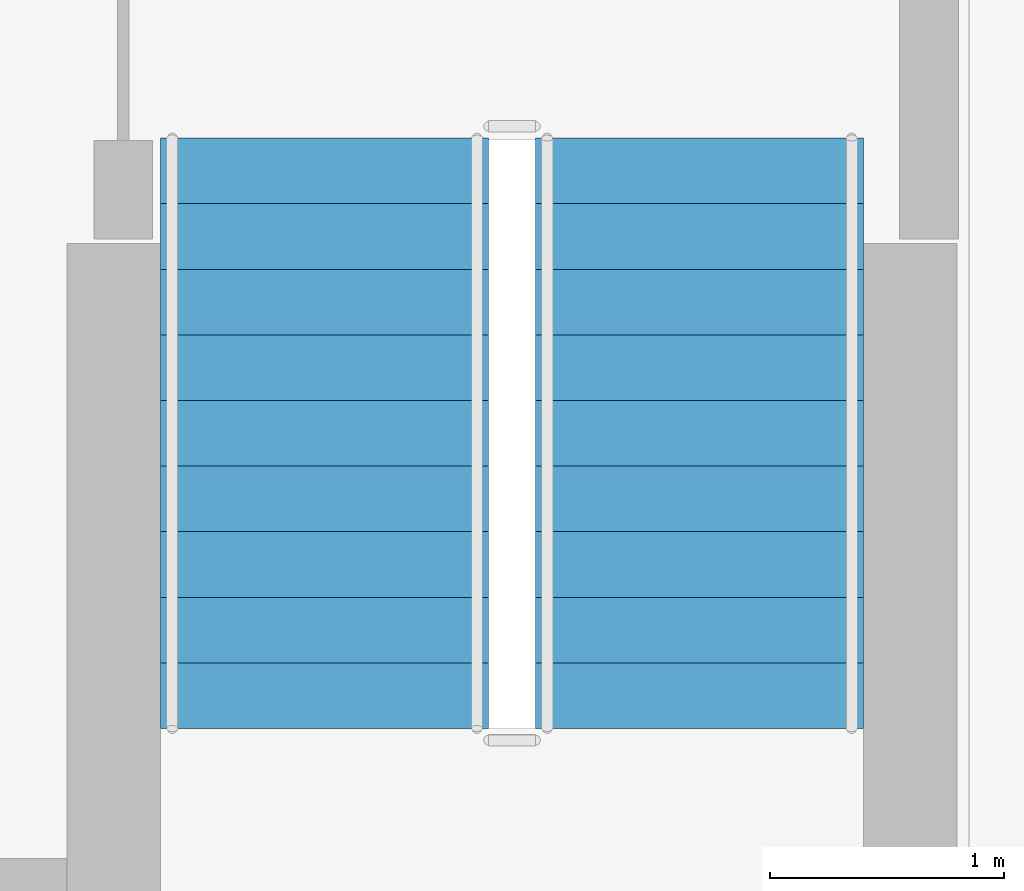
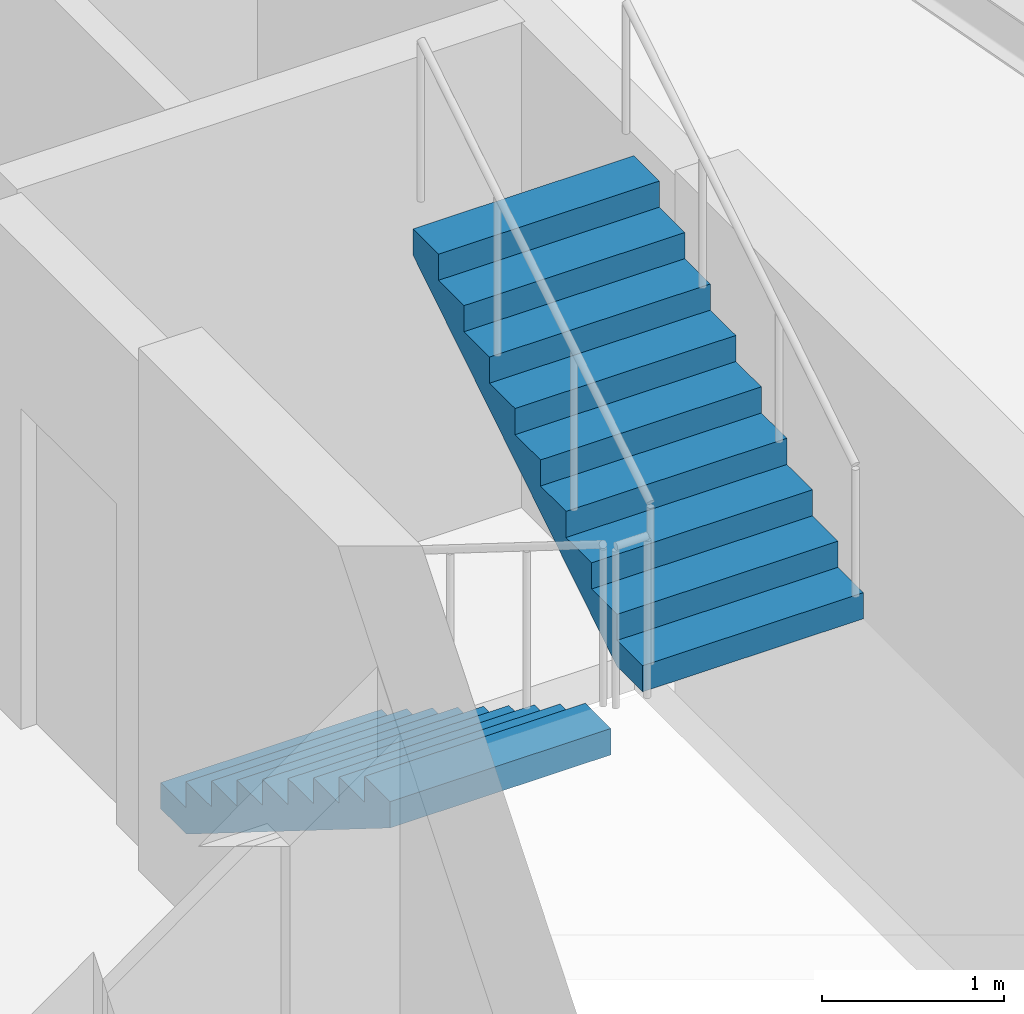
# One storey, part 10 of 14: 2 stair flights, 1 element without a shape of its own.
"""IFC4 building model written with IfcOpenShell, lengths in metres."""

from ifc_helpers import new_model, si_unit, direction, frame, origin, place, context, subcontext, project, spatial, polyline, outline, extrude, material, layer, layer_set, type_object, element, aggregate, save


model = new_model("IFC4")

# Units and contexts
model_context = context("Model", 3, precision=1e-05, world=origin(), true_north=direction((0.0, 1.0)))
body_context = subcontext(model_context, "Body", "Model", "MODEL_VIEW")
ifc_project = project(units=[si_unit("LENGTHUNIT", "METRE"), si_unit("AREAUNIT", "SQUARE_METRE"), si_unit("VOLUMEUNIT", "CUBIC_METRE"), si_unit("PLANEANGLEUNIT", "RADIAN"), si_unit("MASSUNIT", "GRAM", prefix="KILO")], contexts=[model_context])

# Site, building, storey
site_placement = place(None, origin())
site = spatial("IfcSite", under=ifc_project, at=site_placement, CompositionType="ELEMENT")
building_placement = place(site_placement, origin())
building = spatial("IfcBuilding", under=site, at=building_placement, Name="Quenlor Broadcast Tower", CompositionType="ELEMENT")
storey_placement = place(building_placement, frame((0.0, 0.0, 168.5)))
storey = spatial("IfcBuildingStorey", under=building, at=storey_placement, Name="L46", CompositionType="ELEMENT", Elevation=168.5)

# Stair, stair flights
ifc_material_1 = material(Name="Precast concrete C40/50", Category="concrete")
stair_type = type_object("IfcStairType", Name="Precast Concrete C40/50 Dogleg Stair H350", PredefinedType="HALF_TURN_STAIR", material=ifc_material_1)
stair_placement = place(storey_placement, origin())
stair = element("IfcStair", 1, at=stair_placement, inside=storey, type_object=stair_type, Name="L46 East Core Fire-Isolated Exit Stair ST-2", PredefinedType="HALF_TURN_STAIR")
ifc_material_2 = material(Name="Precast concrete C40/50", Category="concrete")
ifc_layer = layer(ifc_material_2, 0.159912109375)
ifc_layer_set = layer_set([ifc_layer], Name="Precast Concrete C40/50 Stair Flight H350")
stair_flight_type = type_object("IfcStairFlightType", Name="Precast Concrete C40/50 Stair Flight H350", PredefinedType="STRAIGHT", material=ifc_layer_set)
stair_flight_1_placement = place(storey_placement, frame((9.89990234375, -9.75, 0.0), z_axis=(0.0, 0.0, 1.0), x_axis=(0.0, -1.0, 0.0)))
stair_flight_1 = element("IfcStairFlight", 2, at=stair_flight_1_placement, type_object=stair_flight_type, Name="ST-2 flight 1", NumberOfRisers=10, NumberOfTreads=9, PredefinedType="STRAIGHT", RiserHeight=0.175, TreadLength=0.28, context=body_context, shape_type="SweptSolid", body=[
    extrude(outline(polyline([(0.0, 0.0), (0.0, 0.175048828125), (0.280029296875, 0.175048828125), (0.280029296875, 0.35009765625), (0.56005859375, 0.35009765625), (0.56005859375, 0.52490234375), (0.840087890625, 0.52490234375), (0.840087890625, 0.699951171875), (1.1201171875, 0.699951171875), (1.1201171875, 0.875), (1.39990234375, 0.875), (1.39990234375, 1.050048828125), (1.679931640625, 1.050048828125), (1.679931640625, 1.22509765625), (1.9599609375, 1.22509765625), (1.9599609375, 1.39990234375), (2.239990234375, 1.39990234375), (2.239990234375, 1.574951171875), (2.52001953125, 1.574951171875), (2.52001953125, 1.75), (2.52001953125, 1.398193359375), (0.28271484375, 0.0), (0.0, 0.0)])), frame((0.0, 0.699951171875, 0.0), z_axis=(0.0, -1.0, 0.0), x_axis=(1.0, 0.0, 0.0)), (0.0, 0.0, 1.0), 1.39990234375),
])
stair_flight_2_placement = place(storey_placement, frame((11.5, -12.27001953125, 1.75), z_axis=(0.0, 0.0, 1.0), x_axis=(0.0, 1.0, 0.0)))
stair_flight_2 = element("IfcStairFlight", 3, at=stair_flight_2_placement, type_object=stair_flight_type, Name="ST-2 flight 2", NumberOfRisers=10, NumberOfTreads=9, PredefinedType="STRAIGHT", RiserHeight=0.175, TreadLength=0.28, context=body_context, shape_type="SweptSolid", body=[
    extrude(outline(polyline([(0.0, 0.0), (0.0, 0.175048828125), (0.280029296875, 0.175048828125), (0.280029296875, 0.35009765625), (0.56005859375, 0.35009765625), (0.56005859375, 0.52490234375), (0.840087890625, 0.52490234375), (0.840087890625, 0.699951171875), (1.1201171875, 0.699951171875), (1.1201171875, 0.875), (1.39990234375, 0.875), (1.39990234375, 1.050048828125), (1.679931640625, 1.050048828125), (1.679931640625, 1.22509765625), (1.9599609375, 1.22509765625), (1.9599609375, 1.39990234375), (2.239990234375, 1.39990234375), (2.239990234375, 1.574951171875), (2.52001953125, 1.574951171875), (2.52001953125, 1.75), (2.52001953125, 1.398193359375), (0.28271484375, 0.0), (0.0, 0.0)])), frame((0.0, 0.699951171875, 0.0), z_axis=(0.0, -1.0, 0.0), x_axis=(1.0, 0.0, 0.0)), (0.0, 0.0, 1.0), 1.39990234375),
])
aggregate(stair, [stair_flight_1, stair_flight_2])

save(model, "model.ifc")
